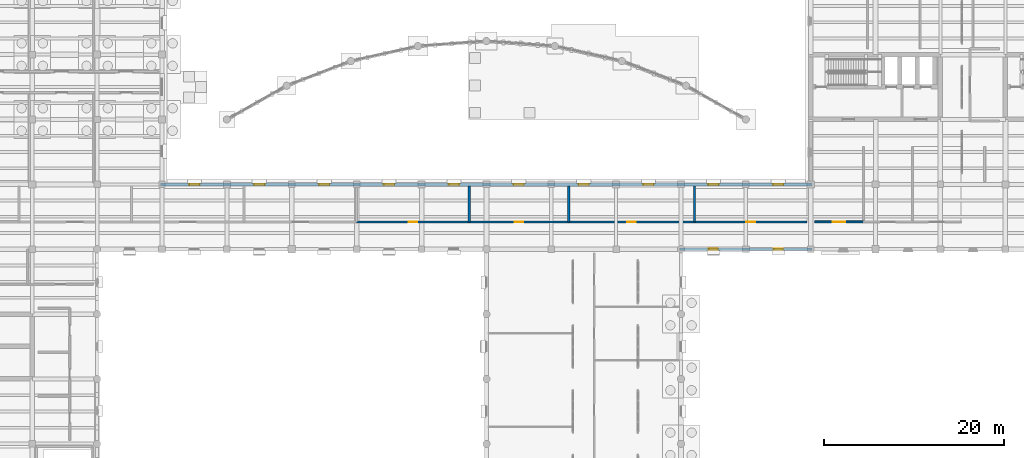
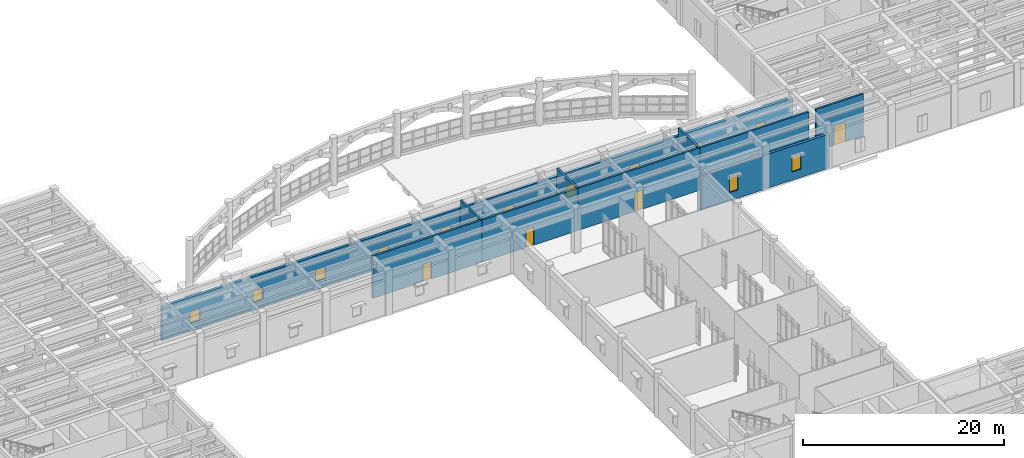
# One storey, part 78 of 100: 12 windows, 10 walls, 5 doors, 17 openings.
"""IFC4 building model written with IfcOpenShell, lengths in metres."""

from ifc_helpers import new_model, si_unit, direction, frame, frame_2d, origin, place, context, subcontext, project, spatial, rectangle, extrude, material, layer, layer_set, type_object, element, fill, save


model = new_model("IFC4")

# Units and contexts
model_context = context("Model", 3, precision=1e-05, world=origin(), true_north=direction((0.0, 1.0)))
body_context = subcontext(model_context, "Body", "Model", "MODEL_VIEW")
ifc_project = project(units=[si_unit("LENGTHUNIT", "METRE"), si_unit("AREAUNIT", "SQUARE_METRE"), si_unit("VOLUMEUNIT", "CUBIC_METRE"), si_unit("PLANEANGLEUNIT", "RADIAN"), si_unit("MASSUNIT", "GRAM", prefix="KILO")], contexts=[model_context])

# Site, building, storey
site_placement = place(None, origin())
site = spatial("IfcSite", under=ifc_project, at=site_placement, CompositionType="ELEMENT")
building_placement = place(site_placement, origin())
building = spatial("IfcBuilding", under=site, at=building_placement, Name="Mithqara Police Headquarters", CompositionType="ELEMENT")
storey_placement = place(building_placement, origin())
storey = spatial("IfcBuildingStorey", under=building, at=storey_placement, Name="L00", CompositionType="ELEMENT", Elevation=0.0)

# Wall, openings, windows
ifc_material_1 = material(Name="Limestone ashlar masonry, 45 MPa", Category="masonry")
ifc_layer_1 = layer(ifc_material_1, 0.320068359375, Name="Limestone ashlar masonry, 45 MPa")
ifc_layer_set_1 = layer_set([ifc_layer_1], Name="Limestone ashlar masonry, 45 MPa")
wall_type_1 = type_object("IfcWallType", Name="EXT WALL LIMESTONE320", PredefinedType="SOLIDWALL", material=ifc_layer_set_1)
wall_1_placement = place(storey_placement, frame((108.760009765625, 85.800048828125, 0.0), z_axis=(0.0, 0.0, 1.0), x_axis=(-1.0, 0.0, 0.0)))
wall_1 = element("IfcWall", 1, at=wall_1_placement, inside=storey, type_object=wall_type_1, Name="L00 Exterior Wall 11.1", PredefinedType="SOLIDWALL", context=body_context, shape_type="SweptSolid", body=[
    extrude(rectangle(XDim=72.320068359375, YDim=0.320068359375, at=frame_2d((36.16015625, 0.0))), origin(), (0.0, 0.0, 1.0), 4.1201171875),
])
opening_1_placement = place(wall_1_placement, frame((67.985107421875, 0.0, 1.0)))
opening_1 = element("IfcOpeningElement", 2, at=opening_1_placement, cuts=wall_1, Name="Opening W-11", PredefinedType="OPENING", context=body_context, shape_type="SweptSolid", body=[
    extrude(rectangle(XDim=1.14990234375, YDim=1.39990234375, at=frame_2d((0.574951171875, 0.699951171875))), frame((0.0, 0.169921875, 0.0), z_axis=(0.0, -1.0, 0.0), x_axis=(1.0, 0.0, 0.0)), (0.0, 0.0, 1.0), 0.340087890625),
])
opening_2_placement = place(wall_1_placement, frame((60.784912109375, 0.0, 1.0)))
opening_2 = element("IfcOpeningElement", 3, at=opening_2_placement, cuts=wall_1, Name="Opening W-11", PredefinedType="OPENING", context=body_context, shape_type="SweptSolid", body=[
    extrude(rectangle(XDim=1.14990234375, YDim=1.39990234375, at=frame_2d((0.574951171875, 0.699951171875))), frame((0.0, 0.169921875, 0.0), z_axis=(0.0, -1.0, 0.0), x_axis=(1.0, 0.0, 0.0)), (0.0, 0.0, 1.0), 0.340087890625),
])
opening_3_placement = place(wall_1_placement, frame((53.5849609375, 0.0, 1.0)))
opening_3 = element("IfcOpeningElement", 4, at=opening_3_placement, cuts=wall_1, Name="Opening W-11", PredefinedType="OPENING", context=body_context, shape_type="SweptSolid", body=[
    extrude(rectangle(XDim=1.14990234375, YDim=1.39990234375, at=frame_2d((0.574951171875, 0.699951171875))), frame((0.0, 0.169921875, 0.0), z_axis=(0.0, -1.0, 0.0), x_axis=(1.0, 0.0, 0.0)), (0.0, 0.0, 1.0), 0.340087890625),
])
opening_4_placement = place(wall_1_placement, frame((46.385009765625, 0.0, 1.0)))
opening_4 = element("IfcOpeningElement", 5, at=opening_4_placement, cuts=wall_1, Name="Opening W-11", PredefinedType="OPENING", context=body_context, shape_type="SweptSolid", body=[
    extrude(rectangle(XDim=1.14990234375, YDim=1.39990234375, at=frame_2d((0.574951171875, 0.699951171875))), frame((0.0, 0.169921875, 0.0), z_axis=(0.0, -1.0, 0.0), x_axis=(1.0, 0.0, 0.0)), (0.0, 0.0, 1.0), 0.340087890625),
])
opening_5_placement = place(wall_1_placement, frame((39.18505859375, 0.0, 1.0)))
opening_5 = element("IfcOpeningElement", 6, at=opening_5_placement, cuts=wall_1, Name="Opening W-11", PredefinedType="OPENING", context=body_context, shape_type="SweptSolid", body=[
    extrude(rectangle(XDim=1.14990234375, YDim=1.39990234375, at=frame_2d((0.574951171875, 0.699951171875))), frame((0.0, 0.169921875, 0.0), z_axis=(0.0, -1.0, 0.0), x_axis=(1.0, 0.0, 0.0)), (0.0, 0.0, 1.0), 0.340087890625),
])
opening_6_placement = place(wall_1_placement, frame((31.985107421875, 0.0, 1.0)))
opening_6 = element("IfcOpeningElement", 7, at=opening_6_placement, cuts=wall_1, Name="Opening W-11", PredefinedType="OPENING", context=body_context, shape_type="SweptSolid", body=[
    extrude(rectangle(XDim=1.14990234375, YDim=1.39990234375, at=frame_2d((0.574951171875, 0.699951171875))), frame((0.0, 0.169921875, 0.0), z_axis=(0.0, -1.0, 0.0), x_axis=(1.0, 0.0, 0.0)), (0.0, 0.0, 1.0), 0.340087890625),
])
opening_7_placement = place(wall_1_placement, frame((24.784912109375, 0.0, 1.0)))
opening_7 = element("IfcOpeningElement", 8, at=opening_7_placement, cuts=wall_1, Name="Opening W-11", PredefinedType="OPENING", context=body_context, shape_type="SweptSolid", body=[
    extrude(rectangle(XDim=1.14990234375, YDim=1.39990234375, at=frame_2d((0.574951171875, 0.699951171875))), frame((0.0, 0.169921875, 0.0), z_axis=(0.0, -1.0, 0.0), x_axis=(1.0, 0.0, 0.0)), (0.0, 0.0, 1.0), 0.340087890625),
])
opening_8_placement = place(wall_1_placement, frame((17.5849609375, 0.0, 1.0)))
opening_8 = element("IfcOpeningElement", 9, at=opening_8_placement, cuts=wall_1, Name="Opening W-11", PredefinedType="OPENING", context=body_context, shape_type="SweptSolid", body=[
    extrude(rectangle(XDim=1.14990234375, YDim=1.39990234375, at=frame_2d((0.574951171875, 0.699951171875))), frame((0.0, 0.169921875, 0.0), z_axis=(0.0, -1.0, 0.0), x_axis=(1.0, 0.0, 0.0)), (0.0, 0.0, 1.0), 0.340087890625),
])
opening_9_placement = place(wall_1_placement, frame((10.385009765625, 0.0, 1.0)))
opening_9 = element("IfcOpeningElement", 10, at=opening_9_placement, cuts=wall_1, Name="Opening W-11", PredefinedType="OPENING", context=body_context, shape_type="SweptSolid", body=[
    extrude(rectangle(XDim=1.14990234375, YDim=1.39990234375, at=frame_2d((0.574951171875, 0.699951171875))), frame((0.0, 0.169921875, 0.0), z_axis=(0.0, -1.0, 0.0), x_axis=(1.0, 0.0, 0.0)), (0.0, 0.0, 1.0), 0.340087890625),
])
opening_10_placement = place(wall_1_placement, frame((3.18505859375, 0.0, 1.0)))
opening_10 = element("IfcOpeningElement", 11, at=opening_10_placement, cuts=wall_1, Name="Opening W-11", PredefinedType="OPENING", context=body_context, shape_type="SweptSolid", body=[
    extrude(rectangle(XDim=1.14990234375, YDim=1.39990234375, at=frame_2d((0.574951171875, 0.699951171875))), frame((0.0, 0.169921875, 0.0), z_axis=(0.0, -1.0, 0.0), x_axis=(1.0, 0.0, 0.0)), (0.0, 0.0, 1.0), 0.340087890625),
])
ifc_material_2 = material(Name="Spectrally selective double low-e glass", Category="glass")
window_type_1 = type_object("IfcWindowType", Name="WINDOW 1150X1400", PartitioningType="SINGLE_PANEL", PredefinedType="WINDOW", material=ifc_material_2)
window_1_placement = place(opening_1_placement, origin())
window_1 = element("IfcWindow", 12, at=window_1_placement, inside=storey, type_object=window_type_1, Name="L00 Deep-Set Punched Window 11.1", OverallHeight=1.39990234375, OverallWidth=1.14990234375, PartitioningType="SINGLE_PANEL", PredefinedType="WINDOW", context=body_context, shape_type="SweptSolid", body=[
    extrude(rectangle(XDim=1.14990234375, YDim=1.39990234375, at=frame_2d((0.574951171875, 0.699951171875))), frame((0.0, 0.030029296875, 0.0), z_axis=(0.0, -1.0, 0.0), x_axis=(1.0, 0.0, 0.0)), (0.0, 0.0, 1.0), 0.06005859375),
])
fill(opening_1, window_1)
window_2_placement = place(opening_2_placement, origin())
window_2 = element("IfcWindow", 13, at=window_2_placement, inside=storey, type_object=window_type_1, Name="L00 Deep-Set Punched Window 11.2", OverallHeight=1.39990234375, OverallWidth=1.14990234375, PartitioningType="SINGLE_PANEL", PredefinedType="WINDOW", context=body_context, shape_type="SweptSolid", body=[
    extrude(rectangle(XDim=1.14990234375, YDim=1.39990234375, at=frame_2d((0.574951171875, 0.699951171875))), frame((0.0, 0.030029296875, 0.0), z_axis=(0.0, -1.0, 0.0), x_axis=(1.0, 0.0, 0.0)), (0.0, 0.0, 1.0), 0.06005859375),
])
fill(opening_2, window_2)
window_3_placement = place(opening_3_placement, origin())
window_3 = element("IfcWindow", 14, at=window_3_placement, inside=storey, type_object=window_type_1, Name="L00 Deep-Set Punched Window 11.3", OverallHeight=1.39990234375, OverallWidth=1.14990234375, PartitioningType="SINGLE_PANEL", PredefinedType="WINDOW", context=body_context, shape_type="SweptSolid", body=[
    extrude(rectangle(XDim=1.14990234375, YDim=1.39990234375, at=frame_2d((0.574951171875, 0.699951171875))), frame((0.0, 0.030029296875, 0.0), z_axis=(0.0, -1.0, 0.0), x_axis=(1.0, 0.0, 0.0)), (0.0, 0.0, 1.0), 0.06005859375),
])
fill(opening_3, window_3)
window_4_placement = place(opening_4_placement, origin())
window_4 = element("IfcWindow", 15, at=window_4_placement, inside=storey, type_object=window_type_1, Name="L00 Deep-Set Punched Window 11.4", OverallHeight=1.39990234375, OverallWidth=1.14990234375, PartitioningType="SINGLE_PANEL", PredefinedType="WINDOW", context=body_context, shape_type="SweptSolid", body=[
    extrude(rectangle(XDim=1.14990234375, YDim=1.39990234375, at=frame_2d((0.574951171875, 0.699951171875))), frame((0.0, 0.030029296875, 0.0), z_axis=(0.0, -1.0, 0.0), x_axis=(1.0, 0.0, 0.0)), (0.0, 0.0, 1.0), 0.06005859375),
])
fill(opening_4, window_4)
window_5_placement = place(opening_5_placement, origin())
window_5 = element("IfcWindow", 16, at=window_5_placement, inside=storey, type_object=window_type_1, Name="L00 Deep-Set Punched Window 11.5", OverallHeight=1.39990234375, OverallWidth=1.14990234375, PartitioningType="SINGLE_PANEL", PredefinedType="WINDOW", context=body_context, shape_type="SweptSolid", body=[
    extrude(rectangle(XDim=1.14990234375, YDim=1.39990234375, at=frame_2d((0.574951171875, 0.699951171875))), frame((0.0, 0.030029296875, 0.0), z_axis=(0.0, -1.0, 0.0), x_axis=(1.0, 0.0, 0.0)), (0.0, 0.0, 1.0), 0.06005859375),
])
fill(opening_5, window_5)
window_6_placement = place(opening_6_placement, origin())
window_6 = element("IfcWindow", 17, at=window_6_placement, inside=storey, type_object=window_type_1, Name="L00 Deep-Set Punched Window 11.6", OverallHeight=1.39990234375, OverallWidth=1.14990234375, PartitioningType="SINGLE_PANEL", PredefinedType="WINDOW", context=body_context, shape_type="SweptSolid", body=[
    extrude(rectangle(XDim=1.14990234375, YDim=1.39990234375, at=frame_2d((0.574951171875, 0.699951171875))), frame((0.0, 0.030029296875, 0.0), z_axis=(0.0, -1.0, 0.0), x_axis=(1.0, 0.0, 0.0)), (0.0, 0.0, 1.0), 0.06005859375),
])
fill(opening_6, window_6)
window_7_placement = place(opening_7_placement, origin())
window_7 = element("IfcWindow", 18, at=window_7_placement, inside=storey, type_object=window_type_1, Name="L00 Deep-Set Punched Window 11.7", OverallHeight=1.39990234375, OverallWidth=1.14990234375, PartitioningType="SINGLE_PANEL", PredefinedType="WINDOW", context=body_context, shape_type="SweptSolid", body=[
    extrude(rectangle(XDim=1.14990234375, YDim=1.39990234375, at=frame_2d((0.574951171875, 0.699951171875))), frame((0.0, 0.030029296875, 0.0), z_axis=(0.0, -1.0, 0.0), x_axis=(1.0, 0.0, 0.0)), (0.0, 0.0, 1.0), 0.06005859375),
])
fill(opening_7, window_7)
window_8_placement = place(opening_8_placement, origin())
window_8 = element("IfcWindow", 19, at=window_8_placement, inside=storey, type_object=window_type_1, Name="L00 Deep-Set Punched Window 11.8", OverallHeight=1.39990234375, OverallWidth=1.14990234375, PartitioningType="SINGLE_PANEL", PredefinedType="WINDOW", context=body_context, shape_type="SweptSolid", body=[
    extrude(rectangle(XDim=1.14990234375, YDim=1.39990234375, at=frame_2d((0.574951171875, 0.699951171875))), frame((0.0, 0.030029296875, 0.0), z_axis=(0.0, -1.0, 0.0), x_axis=(1.0, 0.0, 0.0)), (0.0, 0.0, 1.0), 0.06005859375),
])
fill(opening_8, window_8)
window_9_placement = place(opening_9_placement, origin())
window_9 = element("IfcWindow", 20, at=window_9_placement, inside=storey, type_object=window_type_1, Name="L00 Deep-Set Punched Window 11.9", OverallHeight=1.39990234375, OverallWidth=1.14990234375, PartitioningType="SINGLE_PANEL", PredefinedType="WINDOW", context=body_context, shape_type="SweptSolid", body=[
    extrude(rectangle(XDim=1.14990234375, YDim=1.39990234375, at=frame_2d((0.574951171875, 0.699951171875))), frame((0.0, 0.030029296875, 0.0), z_axis=(0.0, -1.0, 0.0), x_axis=(1.0, 0.0, 0.0)), (0.0, 0.0, 1.0), 0.06005859375),
])
fill(opening_9, window_9)
window_10_placement = place(opening_10_placement, origin())
window_10 = element("IfcWindow", 21, at=window_10_placement, inside=storey, type_object=window_type_1, Name="L00 Deep-Set Punched Window 11.10", OverallHeight=1.39990234375, OverallWidth=1.14990234375, PartitioningType="SINGLE_PANEL", PredefinedType="WINDOW", context=body_context, shape_type="SweptSolid", body=[
    extrude(rectangle(XDim=1.14990234375, YDim=1.39990234375, at=frame_2d((0.574951171875, 0.699951171875))), frame((0.0, 0.030029296875, 0.0), z_axis=(0.0, -1.0, 0.0), x_axis=(1.0, 0.0, 0.0)), (0.0, 0.0, 1.0), 0.06005859375),
])
fill(opening_10, window_10)

wall_2_placement = place(storey_placement, frame((94.0400390625, 78.60009765625, 0.0), z_axis=(0.0, 0.0, 1.0), x_axis=(1.0, 0.0, 0.0)))
wall_2 = element("IfcWall", 22, at=wall_2_placement, inside=storey, type_object=wall_type_1, Name="L00 Exterior Wall 2.1", PredefinedType="SOLIDWALL", context=body_context, shape_type="SweptSolid", body=[
    extrude(rectangle(XDim=14.719970703125, YDim=0.320068359375, at=frame_2d((7.35986328125, 0.0))), origin(), (0.0, 0.0, 1.0), 4.1201171875),
])
opening_11_placement = place(wall_2_placement, frame((3.260009765625, 0.0, 1.0)))
opening_11 = element("IfcOpeningElement", 23, at=opening_11_placement, cuts=wall_2, Name="Opening W-08", PredefinedType="OPENING", context=body_context, shape_type="SweptSolid", body=[
    extrude(rectangle(XDim=1.0, YDim=1.89990234375, at=frame_2d((0.5, 0.949951171875))), frame((0.0, 0.169921875, 0.0), z_axis=(0.0, -1.0, 0.0), x_axis=(1.0, 0.0, 0.0)), (0.0, 0.0, 1.0), 0.340087890625),
])
opening_12_placement = place(wall_2_placement, frame((10.4599609375, 0.0, 1.0)))
opening_12 = element("IfcOpeningElement", 24, at=opening_12_placement, cuts=wall_2, Name="Opening W-08", PredefinedType="OPENING", context=body_context, shape_type="SweptSolid", body=[
    extrude(rectangle(XDim=1.0, YDim=1.89990234375, at=frame_2d((0.5, 0.949951171875))), frame((0.0, 0.169921875, 0.0), z_axis=(0.0, -1.0, 0.0), x_axis=(1.0, 0.0, 0.0)), (0.0, 0.0, 1.0), 0.340087890625),
])
window_type_2 = type_object("IfcWindowType", Name="WINDOW 1000X1900", PartitioningType="SINGLE_PANEL", PredefinedType="WINDOW", material=ifc_material_2)
window_11_placement = place(opening_11_placement, origin())
window_11 = element("IfcWindow", 25, at=window_11_placement, inside=storey, type_object=window_type_2, Name="L00 Deep-Set Punched Window 2.1", OverallHeight=1.89990234375, OverallWidth=1.0, PartitioningType="SINGLE_PANEL", PredefinedType="WINDOW", context=body_context, shape_type="SweptSolid", body=[
    extrude(rectangle(XDim=1.0, YDim=1.89990234375, at=frame_2d((0.5, 0.949951171875))), frame((0.0, 0.030029296875, 0.0), z_axis=(0.0, -1.0, 0.0), x_axis=(1.0, 0.0, 0.0)), (0.0, 0.0, 1.0), 0.06005859375),
])
fill(opening_11, window_11)
window_12_placement = place(opening_12_placement, origin())
window_12 = element("IfcWindow", 26, at=window_12_placement, inside=storey, type_object=window_type_2, Name="L00 Deep-Set Punched Window 2.2", OverallHeight=1.89990234375, OverallWidth=1.0, PartitioningType="SINGLE_PANEL", PredefinedType="WINDOW", context=body_context, shape_type="SweptSolid", body=[
    extrude(rectangle(XDim=1.0, YDim=1.89990234375, at=frame_2d((0.5, 0.949951171875))), frame((0.0, 0.030029296875, 0.0), z_axis=(0.0, -1.0, 0.0), x_axis=(1.0, 0.0, 0.0)), (0.0, 0.0, 1.0), 0.06005859375),
])
fill(opening_12, window_12)

# Wall, opening, door
ifc_material_3 = material(Name="Concrete C40/50", Category="concrete")
ifc_layer_2 = layer(ifc_material_3, 0.2099609375, Name="Concrete C40/50")
ifc_layer_set_2 = layer_set([ifc_layer_2], Name="Concrete C40/50")
wall_type_2 = type_object("IfcWallType", Name="PART WALL 210", PredefinedType="PARTITIONING", material=ifc_layer_set_2)
wall_3_placement = place(storey_placement, frame((109.02001953125, 81.639892578125, 0.0), z_axis=(0.0, 0.0, 1.0), x_axis=(1.0, 0.0, 0.0)))
wall_3 = element("IfcWall", 27, at=wall_3_placement, inside=storey, type_object=wall_type_2, Name="L00 Corridor Wall Fire Command Room", PredefinedType="PARTITIONING", context=body_context, shape_type="SweptSolid", body=[
    extrude(rectangle(XDim=5.427001953125, YDim=0.2099609375, at=frame_2d((2.71337890625, 0.0))), origin(), (0.0, 0.0, 1.0), 5.1201171875),
])
opening_13_placement = place(wall_3_placement, frame((2.033447265625, 0.0, 0.0)))
opening_13 = element("IfcOpeningElement", 28, at=opening_13_placement, cuts=wall_3, Name="Opening D-18", PredefinedType="OPENING", context=body_context, shape_type="SweptSolid", body=[
    extrude(rectangle(XDim=1.360107421875, YDim=2.35009765625, at=frame_2d((0.68017578125, 1.175048828125))), frame((0.0, 0.114990234375, 0.0), z_axis=(0.0, -1.0, 0.0), x_axis=(1.0, 0.0, 0.0)), (0.0, 0.0, 1.0), 0.22998046875),
])
ifc_material_4 = material(Name="Bronze anodised aluminium 6063-T6", Category="aluminium")
door_type_1 = type_object("IfcDoorType", Name="INT DOOR 1360X2350", OperationType="NOTDEFINED", PredefinedType="DOOR", material=ifc_material_4)
door_1_placement = place(opening_13_placement, origin())
door_1 = element("IfcDoor", 29, at=door_1_placement, inside=storey, type_object=door_type_1, Name="Fire Command Room Entry Door", OperationType="SINGLE_SWING_LEFT", OverallHeight=2.35009765625, OverallWidth=1.360107421875, PredefinedType="DOOR", context=body_context, shape_type="SweptSolid", body=[
    extrude(rectangle(XDim=1.360107421875, YDim=2.35009765625, at=frame_2d((0.68017578125, 1.175048828125))), frame((0.0, 0.02490234375, 0.0), z_axis=(0.0, -1.0, 0.0), x_axis=(1.0, 0.0, 0.0)), (0.0, 0.0, 1.0), 0.050048828125),
])
fill(opening_13, door_1)

ifc_layer_3 = layer(ifc_material_3, 0.22998046875, Name="Concrete C40/50")
ifc_layer_set_3 = layer_set([ifc_layer_3], Name="Concrete C40/50")
wall_type_3 = type_object("IfcWallType", Name="PART WALL 230", PredefinedType="PARTITIONING", material=ifc_layer_set_3)
wall_4_placement = place(storey_placement, frame((58.199951171875, 81.639892578125, 0.0), z_axis=(0.0, 0.0, 1.0), x_axis=(1.0, 0.0, 0.0)))
wall_4 = element("IfcWall", 30, at=wall_4_placement, inside=storey, type_object=wall_type_3, Name="L00 Corridor Wall Public Information Kiosk", PredefinedType="PARTITIONING", context=body_context, shape_type="SweptSolid", body=[
    extrude(rectangle(XDim=12.4951171875, YDim=0.22998046875, at=frame_2d((6.24755859375, 0.0))), origin(), (0.0, 0.0, 1.0), 5.1201171875),
])
opening_14_placement = place(wall_4_placement, frame((5.78759765625, 0.0, 0.0)))
opening_14 = element("IfcOpeningElement", 31, at=opening_14_placement, cuts=wall_4, Name="Opening D-01", PredefinedType="OPENING", context=body_context, shape_type="SweptSolid", body=[
    extrude(rectangle(XDim=0.919921875, YDim=2.10009765625, at=frame_2d((0.4599609375, 1.050048828125))), frame((0.0, 0.125, 0.0), z_axis=(0.0, -1.0, 0.0), x_axis=(1.0, 0.0, 0.0)), (0.0, 0.0, 1.0), 0.25),
])
ifc_material_5 = material(Name="Acoustic solid-core timber leaf", Category="wood")
door_type_2 = type_object("IfcDoorType", Name="INT DOOR 920X2100", OperationType="NOTDEFINED", PredefinedType="DOOR", material=ifc_material_5)
door_2_placement = place(opening_14_placement, origin())
door_2 = element("IfcDoor", 32, at=door_2_placement, inside=storey, type_object=door_type_2, Name="Public Information Kiosk Entry Door", OperationType="SINGLE_SWING_RIGHT", OverallHeight=2.10009765625, OverallWidth=0.919921875, PredefinedType="DOOR", context=body_context, shape_type="SweptSolid", body=[
    extrude(rectangle(XDim=0.919921875, YDim=2.10009765625, at=frame_2d((0.4599609375, 1.050048828125))), frame((0.0, 0.02490234375, 0.0), z_axis=(0.0, -1.0, 0.0), x_axis=(1.0, 0.0, 0.0)), (0.0, 0.0, 1.0), 0.050048828125),
])
fill(opening_14, door_2)

# Wall
wall_5_placement = place(storey_placement, frame((70.695068359375, 81.639892578125, 0.0), z_axis=(0.0, 0.0, 1.0), x_axis=(0.0, 1.0, 0.0)))
element("IfcWall", 33, at=wall_5_placement, inside=storey, type_object=wall_type_3, Name="L00 Room Partition Public Information Kiosk", PredefinedType="PARTITIONING", context=body_context, shape_type="SweptSolid", body=[
    extrude(rectangle(XDim=3.980224609375, YDim=0.22998046875, at=frame_2d((1.990234375, 0.0))), origin(), (0.0, 0.0, 1.0), 5.1201171875),
])

# Wall, opening, door
wall_6_placement = place(storey_placement, frame((70.695068359375, 81.639892578125, 0.0), z_axis=(0.0, 0.0, 1.0), x_axis=(1.0, 0.0, 0.0)))
wall_6 = element("IfcWall", 34, at=wall_6_placement, inside=storey, type_object=wall_type_3, Name="L00 Corridor Wall Community Liaison Office", PredefinedType="PARTITIONING", context=body_context, shape_type="SweptSolid", body=[
    extrude(rectangle(XDim=11.044921875, YDim=0.22998046875, at=frame_2d((5.5224609375, 0.0))), origin(), (0.0, 0.0, 1.0), 5.1201171875),
])
opening_15_placement = place(wall_6_placement, frame((5.0625, 0.0, 0.0)))
opening_15 = element("IfcOpeningElement", 35, at=opening_15_placement, cuts=wall_6, Name="Opening D-02", PredefinedType="OPENING", context=body_context, shape_type="SweptSolid", body=[
    extrude(rectangle(XDim=0.919921875, YDim=2.219970703125, at=frame_2d((0.4599609375, 1.10986328125))), frame((0.0, 0.125, 0.0), z_axis=(0.0, -1.0, 0.0), x_axis=(1.0, 0.0, 0.0)), (0.0, 0.0, 1.0), 0.25),
])
door_type_3 = type_object("IfcDoorType", Name="INT DOOR 920X2220", OperationType="NOTDEFINED", PredefinedType="DOOR", material=ifc_material_5)
door_3_placement = place(opening_15_placement, origin())
door_3 = element("IfcDoor", 36, at=door_3_placement, inside=storey, type_object=door_type_3, Name="Community Liaison Office Entry Door", OperationType="SINGLE_SWING_LEFT", OverallHeight=2.219970703125, OverallWidth=0.919921875, PredefinedType="DOOR", context=body_context, shape_type="SweptSolid", body=[
    extrude(rectangle(XDim=0.919921875, YDim=2.219970703125, at=frame_2d((0.4599609375, 1.10986328125))), frame((0.0, 0.02490234375, 0.0), z_axis=(0.0, -1.0, 0.0), x_axis=(1.0, 0.0, 0.0)), (0.0, 0.0, 1.0), 0.050048828125),
])
fill(opening_15, door_3)

# Wall
wall_7_placement = place(storey_placement, frame((81.739990234375, 81.639892578125, 0.0), z_axis=(0.0, 0.0, 1.0), x_axis=(0.0, 1.0, 0.0)))
element("IfcWall", 37, at=wall_7_placement, inside=storey, type_object=wall_type_3, Name="L00 Room Partition Community Liaison Office", PredefinedType="PARTITIONING", context=body_context, shape_type="SweptSolid", body=[
    extrude(rectangle(XDim=3.980224609375, YDim=0.22998046875, at=frame_2d((1.990234375, 0.0))), origin(), (0.0, 0.0, 1.0), 5.1201171875),
])

# Wall, opening, door
wall_8_placement = place(storey_placement, frame((81.739990234375, 81.639892578125, 0.0), z_axis=(0.0, 0.0, 1.0), x_axis=(1.0, 0.0, 0.0)))
wall_8 = element("IfcWall", 38, at=wall_8_placement, inside=storey, type_object=wall_type_3, Name="L00 Corridor Wall Shaded Forecourt Reception Vestibule", PredefinedType="PARTITIONING", context=body_context, shape_type="SweptSolid", body=[
    extrude(rectangle(XDim=13.945068359375, YDim=0.22998046875, at=frame_2d((6.97265625, 0.0))), origin(), (0.0, 0.0, 1.0), 5.1201171875),
])
opening_16_placement = place(wall_8_placement, frame((6.512451171875, 0.0, 0.0)))
opening_16 = element("IfcOpeningElement", 39, at=opening_16_placement, cuts=wall_8, Name="Opening D-03", PredefinedType="OPENING", context=body_context, shape_type="SweptSolid", body=[
    extrude(rectangle(XDim=0.919921875, YDim=2.35009765625, at=frame_2d((0.4599609375, 1.175048828125))), frame((0.0, 0.125, 0.0), z_axis=(0.0, -1.0, 0.0), x_axis=(1.0, 0.0, 0.0)), (0.0, 0.0, 1.0), 0.25),
])
door_type_4 = type_object("IfcDoorType", Name="INT DOOR 920X2350", OperationType="NOTDEFINED", PredefinedType="DOOR", material=ifc_material_5)
door_4_placement = place(opening_16_placement, origin())
door_4 = element("IfcDoor", 40, at=door_4_placement, inside=storey, type_object=door_type_4, Name="Shaded Forecourt Reception Vestibule Entry Door", OperationType="SINGLE_SWING_RIGHT", OverallHeight=2.35009765625, OverallWidth=0.919921875, PredefinedType="DOOR", context=body_context, shape_type="SweptSolid", body=[
    extrude(rectangle(XDim=0.919921875, YDim=2.35009765625, at=frame_2d((0.4599609375, 1.175048828125))), frame((0.0, 0.02490234375, 0.0), z_axis=(0.0, -1.0, 0.0), x_axis=(1.0, 0.0, 0.0)), (0.0, 0.0, 1.0), 0.050048828125),
])
fill(opening_16, door_4)

# Wall
wall_9_placement = place(storey_placement, frame((95.68505859375, 81.639892578125, 0.0), z_axis=(0.0, 0.0, 1.0), x_axis=(0.0, 1.0, 0.0)))
element("IfcWall", 41, at=wall_9_placement, inside=storey, type_object=wall_type_3, Name="L00 Room Partition Shaded Forecourt Reception Vestibule", PredefinedType="PARTITIONING", context=body_context, shape_type="SweptSolid", body=[
    extrude(rectangle(XDim=3.980224609375, YDim=0.22998046875, at=frame_2d((1.990234375, 0.0))), origin(), (0.0, 0.0, 1.0), 5.1201171875),
])

# Wall, opening, door
wall_10_placement = place(storey_placement, frame((95.68505859375, 81.639892578125, 0.0), z_axis=(0.0, 0.0, 1.0), x_axis=(1.0, 0.0, 0.0)))
wall_10 = element("IfcWall", 42, at=wall_10_placement, inside=storey, type_object=wall_type_3, Name="L00 Corridor Wall Public Information Kiosk", PredefinedType="PARTITIONING", context=body_context, shape_type="SweptSolid", body=[
    extrude(rectangle(XDim=12.494873046875, YDim=0.22998046875, at=frame_2d((6.24755859375, 0.0))), origin(), (0.0, 0.0, 1.0), 5.1201171875),
])
opening_17_placement = place(wall_10_placement, frame((5.757568359375, 0.0, 0.0)))
opening_17 = element("IfcOpeningElement", 43, at=opening_17_placement, cuts=wall_10, Name="Opening D-04", PredefinedType="OPENING", context=body_context, shape_type="SweptSolid", body=[
    extrude(rectangle(XDim=0.97998046875, YDim=2.10009765625, at=frame_2d((0.489990234375, 1.050048828125))), frame((0.0, 0.125, 0.0), z_axis=(0.0, -1.0, 0.0), x_axis=(1.0, 0.0, 0.0)), (0.0, 0.0, 1.0), 0.25),
])
door_type_5 = type_object("IfcDoorType", Name="INT DOOR 980X2100", OperationType="NOTDEFINED", PredefinedType="DOOR", material=ifc_material_5)
door_5_placement = place(opening_17_placement, origin())
door_5 = element("IfcDoor", 44, at=door_5_placement, inside=storey, type_object=door_type_5, Name="Public Information Kiosk Entry Door", OperationType="SINGLE_SWING_LEFT", OverallHeight=2.10009765625, OverallWidth=0.97998046875, PredefinedType="DOOR", context=body_context, shape_type="SweptSolid", body=[
    extrude(rectangle(XDim=0.97998046875, YDim=2.10009765625, at=frame_2d((0.489990234375, 1.050048828125))), frame((0.0, 0.02490234375, 0.0), z_axis=(0.0, -1.0, 0.0), x_axis=(1.0, 0.0, 0.0)), (0.0, 0.0, 1.0), 0.050048828125),
])
fill(opening_17, door_5)

save(model, "model.ifc")
